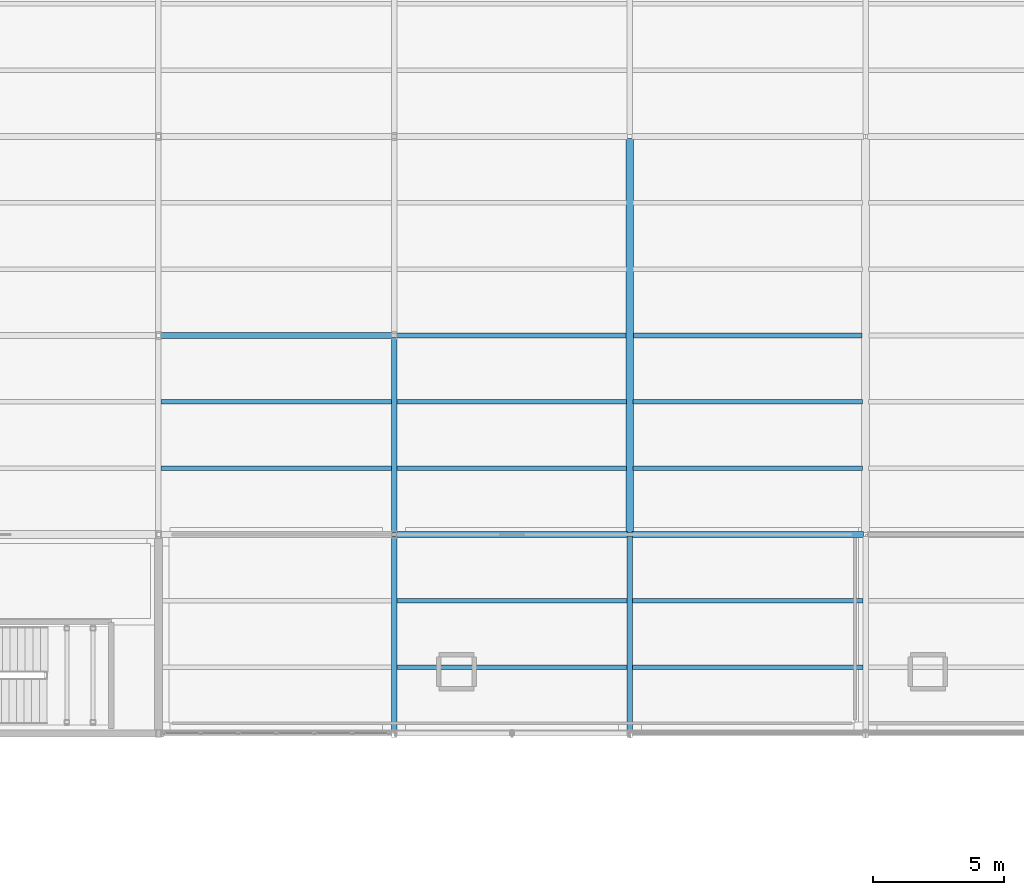
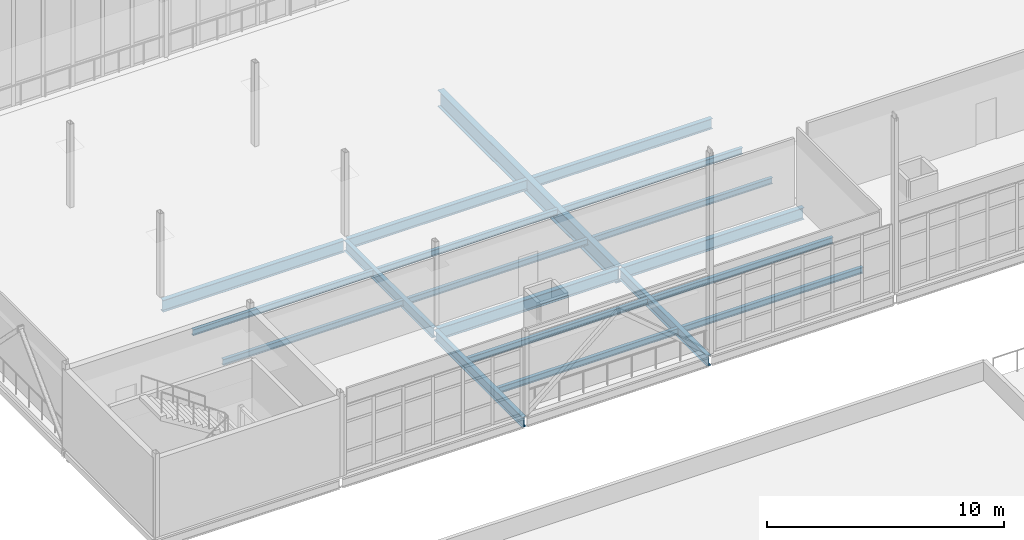
# One storey, part 38 of 166: 19 beams.
"""IFC4 building model written with IfcOpenShell, lengths in metres."""

from ifc_helpers import new_model, si_unit, direction, frame, origin, origin_2d, place, context, subcontext, project, spatial, i_section, extrude, material, material_profile, profile_set, type_object, element, save


model = new_model("IFC4")

# Units and contexts
model_context = context("Model", 3, precision=1e-05, world=origin(), true_north=direction((0.0, 1.0)))
body_context = subcontext(model_context, "Body", "Model", "MODEL_VIEW")
ifc_project = project(units=[si_unit("LENGTHUNIT", "METRE"), si_unit("AREAUNIT", "SQUARE_METRE"), si_unit("VOLUMEUNIT", "CUBIC_METRE"), si_unit("PLANEANGLEUNIT", "RADIAN"), si_unit("MASSUNIT", "GRAM", prefix="KILO")], contexts=[model_context])

# Site, building, storey
site_placement = place(None, origin())
site = spatial("IfcSite", under=ifc_project, at=site_placement, CompositionType="ELEMENT")
building_placement = place(site_placement, origin())
building = spatial("IfcBuilding", under=site, at=building_placement, Name="Caisbarro Railhouse Central Library", CompositionType="ELEMENT")
storey_placement = place(building_placement, frame((0.0, 0.0, 9.360107421875)))
storey = spatial("IfcBuildingStorey", under=building, at=storey_placement, Name="L02", CompositionType="ELEMENT", Elevation=9.360107421875)

# Beams
ifc_material = material(Name="Steel ASTM A572 Grade 50", Category="steel")
ifc_material_profile_1 = material_profile(ifc_material, i_section(OverallWidth=0.2939453125, OverallDepth=0.85107421875, WebThickness=0.01611328125, FlangeThickness=0.02685546875, FilletRadius=0.02392578125, at=origin_2d()), Name="W840X226.0")
ifc_profile_set_1 = profile_set([ifc_material_profile_1], Name="Steel ASTM A572 Grade 50")
beam_type_1 = type_object("IfcBeamType", Name="BM-G01", PredefinedType="BEAM", material=ifc_profile_set_1)
beam_1_placement = place(storey_placement, frame((27.0, 38.080078125, -0.6455078125), z_axis=(0.0, 1.0, 0.0), x_axis=(-1.0, 0.0, 0.0)))
element("IfcBeam", 1, at=beam_1_placement, inside=storey, type_object=beam_type_1, Name="G01 beam L02 #1737", PredefinedType="BEAM", context=body_context, shape_type="SweptSolid", body=[
    extrude(i_section(OverallWidth=0.2939453125, OverallDepth=0.85107421875, WebThickness=0.01611328125, FlangeThickness=0.02685546875, FilletRadius=0.02392578125, at=origin_2d()), origin(), (0.0, 0.0, 1.0), 15.0400390625),
])
ifc_material_profile_2 = material_profile(ifc_material, i_section(OverallWidth=0.22802734375, OverallDepth=0.60791015625, WebThickness=0.01123046875, FlangeThickness=0.017333984375, FilletRadius=0.02197265625, at=origin_2d()), Name="W610X113.0")
ifc_profile_set_2 = profile_set([ifc_material_profile_2], Name="Steel ASTM A572 Grade 50")
beam_type_2 = type_object("IfcBeamType", Name="BM-G04", PredefinedType="BEAM", material=ifc_profile_set_2)
for number, where, z_axis, x_axis, name in (
    (2, (18.080078125, 38.0, -0.524169921875), (1.0, 0.0, 0.0), (0.0, 1.0, 0.0), "G04 beam L02 #1361"),
    (3, (27.080078125, 38.0, -0.524169921875), (1.0, 0.0, 0.0), (0.0, 1.0, 0.0), "G04 beam L02 #1362"),
    (4, (9.080078125, 45.60009765625, -0.524169921875), (1.0, 0.0, 0.0), (0.0, 1.0, 0.0), "G04 beam L02 #1368"),
):
    element("IfcBeam", number, at=place(storey_placement, frame(where, z_axis=z_axis, x_axis=x_axis)), inside=storey, type_object=beam_type_2, Name=name, PredefinedType="BEAM", context=body_context, shape_type="SweptSolid", body=[
        extrude(i_section(OverallWidth=0.22802734375, OverallDepth=0.60791015625, WebThickness=0.01123046875, FlangeThickness=0.017333984375, FilletRadius=0.02197265625, at=origin_2d()), origin(), (0.0, 0.0, 1.0), 8.83984375),
    ])
ifc_material_profile_3 = material_profile(ifc_material, i_section(OverallWidth=0.208984375, OverallDepth=0.532958984375, WebThickness=0.01025390625, FlangeThickness=0.015625, FilletRadius=0.02001953125, at=origin_2d()), Name="W530X92.0")
ifc_profile_set_3 = profile_set([ifc_material_profile_3], Name="Steel ASTM A572 Grade 50")
beam_type_3 = type_object("IfcBeamType", Name="BM-G06", PredefinedType="BEAM", material=ifc_profile_set_3)
for number, where, z_axis, x_axis, name in (
    (5, (18.0, 30.47998046875, -0.486572265625), (0.0, 1.0, 0.0), (-1.0, 0.0, 0.0), "G06 beam L02 #1396"),
    (6, (18.0, 38.080078125, -0.486572265625), (0.0, 1.0, 0.0), (-1.0, 0.0, 0.0), "G06 beam L02 #1397"),
    (7, (27.0, 30.47998046875, -0.486572265625), (0.0, 1.0, 0.0), (-1.0, 0.0, 0.0), "G06 beam L02 #1400"),
):
    element("IfcBeam", number, at=place(storey_placement, frame(where, z_axis=z_axis, x_axis=x_axis)), inside=storey, type_object=beam_type_3, Name=name, PredefinedType="BEAM", context=body_context, shape_type="SweptSolid", body=[
        extrude(i_section(OverallWidth=0.208984375, OverallDepth=0.532958984375, WebThickness=0.01025390625, FlangeThickness=0.015625, FilletRadius=0.02001953125, at=origin_2d()), origin(), (0.0, 0.0, 1.0), 7.43994140625),
    ])
beam_2_placement = place(storey_placement, frame((18.080078125, 45.60009765625, -0.486572265625), z_axis=(1.0, 0.0, 0.0), x_axis=(0.0, 1.0, 0.0)))
element("IfcBeam", 8, at=beam_2_placement, inside=storey, type_object=beam_type_3, Name="G06 beam L02 #1739", PredefinedType="BEAM", context=body_context, shape_type="SweptSolid", body=[
    extrude(i_section(OverallWidth=0.208984375, OverallDepth=0.532958984375, WebThickness=0.01025390625, FlangeThickness=0.015625, FilletRadius=0.02001953125, at=origin_2d()), origin(), (0.0, 0.0, 1.0), 8.780029296875),
])
beam_3_placement = place(storey_placement, frame((27.139892578125, 45.60009765625, -0.486572265625), z_axis=(1.0, 0.0, 0.0), x_axis=(0.0, 1.0, 0.0)))
element("IfcBeam", 9, at=beam_3_placement, inside=storey, type_object=beam_type_3, Name="G06 beam L02 #1740", PredefinedType="BEAM", context=body_context, shape_type="SweptSolid", body=[
    extrude(i_section(OverallWidth=0.208984375, OverallDepth=0.532958984375, WebThickness=0.01025390625, FlangeThickness=0.015625, FilletRadius=0.02001953125, at=origin_2d()), origin(), (0.0, 0.0, 1.0), 8.72021484375),
])
ifc_material_profile_4 = material_profile(ifc_material, i_section(OverallWidth=0.1650390625, OverallDepth=0.31005859375, WebThickness=0.005859375, FlangeThickness=0.009765625, FilletRadius=0.011962890625, at=origin_2d()), Name="W310X38.7")
ifc_profile_set_4 = profile_set([ifc_material_profile_4], Name="Steel ASTM A572 Grade 50")
beam_type_4 = type_object("IfcBeamType", Name="BM-J03", PredefinedType="JOIST", material=ifc_profile_set_4)
for number, where, z_axis, x_axis, name in (
    (10, (9.1044921875, 40.533203125, -0.375), (1.0, 0.0, 0.0), (0.0, 1.0, 0.0), "J03 beam L02 #1428"),
    (11, (9.1044921875, 43.066650390625, -0.375), (1.0, 0.0, 0.0), (0.0, 1.0, 0.0), "J03 beam L02 #1429"),
    (12, (18.1044921875, 32.933349609375, -0.375), (1.0, 0.0, 0.0), (0.0, 1.0, 0.0), "J03 beam L02 #1434"),
    (13, (18.1044921875, 35.466796875, -0.375), (1.0, 0.0, 0.0), (0.0, 1.0, 0.0), "J03 beam L02 #1435"),
):
    element("IfcBeam", number, at=place(storey_placement, frame(where, z_axis=z_axis, x_axis=x_axis)), inside=storey, type_object=beam_type_4, Name=name, PredefinedType="JOIST", context=body_context, shape_type="SweptSolid", body=[
        extrude(i_section(OverallWidth=0.1650390625, OverallDepth=0.31005859375, WebThickness=0.005859375, FlangeThickness=0.009765625, FilletRadius=0.011962890625, at=origin_2d()), origin(), (0.0, 0.0, 1.0), 8.791015625),
    ])
for number, where, z_axis, x_axis, name in (
    (14, (18.1044921875, 40.533203125, -0.375), (1.0, 0.0, 0.0), (0.0, 1.0, 0.0), "J03 beam L02 #1436"),
    (15, (18.1044921875, 43.066650390625, -0.375), (1.0, 0.0, 0.0), (0.0, 1.0, 0.0), "J03 beam L02 #1437"),
):
    element("IfcBeam", number, at=place(storey_placement, frame(where, z_axis=z_axis, x_axis=x_axis)), inside=storey, type_object=beam_type_4, Name=name, PredefinedType="JOIST", context=body_context, shape_type="SweptSolid", body=[
        extrude(i_section(OverallWidth=0.1650390625, OverallDepth=0.31005859375, WebThickness=0.005859375, FlangeThickness=0.009765625, FilletRadius=0.011962890625, at=origin_2d()), origin(), (0.0, 0.0, 1.0), 8.775390625),
    ])
for number, where, z_axis, x_axis, name in (
    (16, (27.1044921875, 32.933349609375, -0.375), (1.0, 0.0, 0.0), (0.0, 1.0, 0.0), "J03 beam L02 #1442"),
    (17, (27.1044921875, 35.466796875, -0.375), (1.0, 0.0, 0.0), (0.0, 1.0, 0.0), "J03 beam L02 #1443"),
):
    element("IfcBeam", number, at=place(storey_placement, frame(where, z_axis=z_axis, x_axis=x_axis)), inside=storey, type_object=beam_type_4, Name=name, PredefinedType="JOIST", context=body_context, shape_type="SweptSolid", body=[
        extrude(i_section(OverallWidth=0.1650390625, OverallDepth=0.31005859375, WebThickness=0.005859375, FlangeThickness=0.009765625, FilletRadius=0.011962890625, at=origin_2d()), origin(), (0.0, 0.0, 1.0), 8.791015625),
    ])
for number, where, z_axis, x_axis, name in (
    (18, (27.1201171875, 40.533203125, -0.375), (1.0, 0.0, 0.0), (0.0, 1.0, 0.0), "J03 beam L02 #1444"),
    (19, (27.1201171875, 43.066650390625, -0.375), (1.0, 0.0, 0.0), (0.0, 1.0, 0.0), "J03 beam L02 #1445"),
):
    element("IfcBeam", number, at=place(storey_placement, frame(where, z_axis=z_axis, x_axis=x_axis)), inside=storey, type_object=beam_type_4, Name=name, PredefinedType="JOIST", context=body_context, shape_type="SweptSolid", body=[
        extrude(i_section(OverallWidth=0.1650390625, OverallDepth=0.31005859375, WebThickness=0.005859375, FlangeThickness=0.009765625, FilletRadius=0.011962890625, at=origin_2d()), origin(), (0.0, 0.0, 1.0), 8.759765625),
    ])

save(model, "model.ifc")
